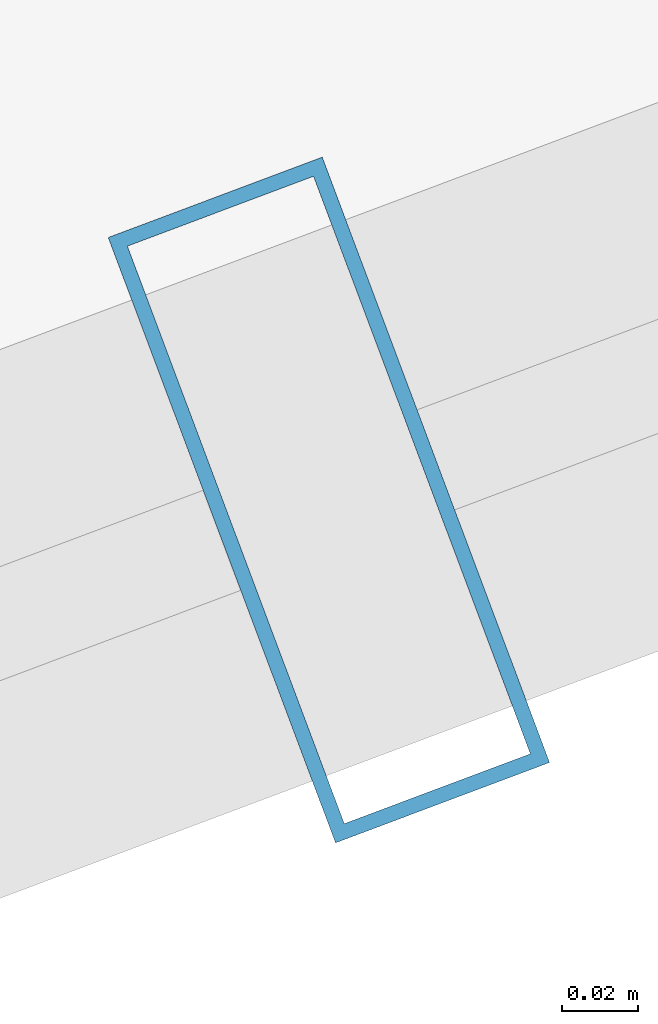
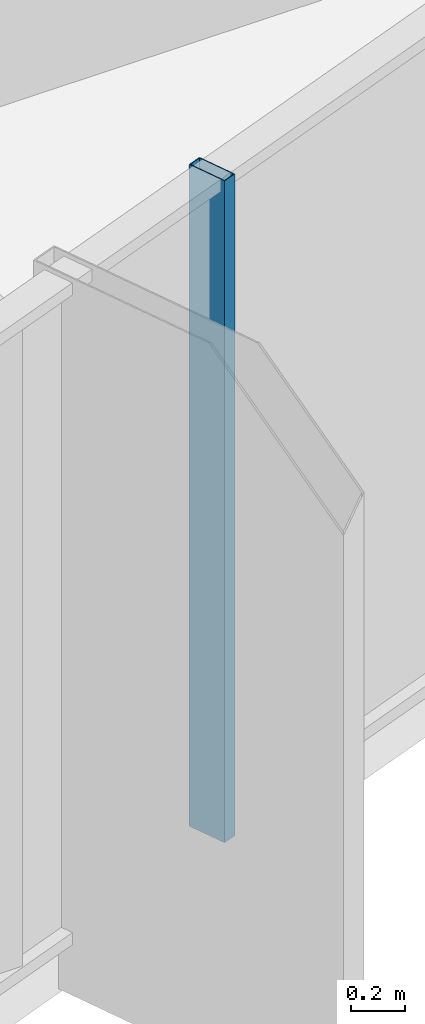
# One storey, part 8 of 30: 1 member, 1 element without a shape of its own.
"""IFC4 building model written with IfcOpenShell, lengths in metres."""

from ifc_helpers import new_model, si_unit, direction, frame, origin, origin_2d, place, context, subcontext, project, spatial, hollow_rectangle, extrude, source, transform, mapped, material, layer, layer_set, material_profile, profile_set, type_object, element, aggregate, save


model = new_model("IFC4")

# Units and contexts
model_context = context("Model", 3, precision=1e-05, world=origin(), true_north=direction((0.0, 1.0)))
body_context = subcontext(model_context, "Body", "Model", "MODEL_VIEW")
ifc_project = project(units=[si_unit("LENGTHUNIT", "METRE"), si_unit("AREAUNIT", "SQUARE_METRE"), si_unit("VOLUMEUNIT", "CUBIC_METRE"), si_unit("PLANEANGLEUNIT", "RADIAN"), si_unit("MASSUNIT", "GRAM", prefix="KILO")], contexts=[model_context])

# Site, building, storey
site_placement = place(None, origin())
site = spatial("IfcSite", under=ifc_project, at=site_placement, CompositionType="ELEMENT")
building_placement = place(site_placement, origin())
building = spatial("IfcBuilding", under=site, at=building_placement, Name="Veraguas Prism Commons", CompositionType="ELEMENT")
storey_placement = place(building_placement, frame((0.0, 0.0, 95.949951171875)))
storey = spatial("IfcBuildingStorey", under=building, at=storey_placement, Name="L26", CompositionType="ELEMENT", Elevation=95.949951171875)

# Curtain wall, member
ifc_material = material(Name="Anodised aluminium EN AW-6063 T6", Category="aluminium")
ifc_layer = layer(ifc_material, 0.169921875, Name="Unitised Flush Curtain Wall Zone 2", Category="aluminium")
ifc_layer_set = layer_set([ifc_layer], Name="Anodised aluminium EN AW-6063 T6")
curtain_wall_type = type_object("IfcCurtainWallType", Name="Unitised Flush Curtain Wall Zone 2", PredefinedType="NOTDEFINED", material=ifc_layer_set)
curtain_wall_placement = place(storey_placement, origin())
curtain_wall = element("IfcCurtainWall", 1, at=curtain_wall_placement, inside=storey, type_object=curtain_wall_type, Name="Tower Facade Curtain Wall L26-F5", PredefinedType="NOTDEFINED")
ifc_material_profile = material_profile(ifc_material, hollow_rectangle(XDim=0.06005859375, YDim=0.169921875, WallThickness=0.00390625, at=origin_2d()), Name="AL60X170X4")
ifc_profile_set = profile_set([ifc_material_profile], Name="Anodised aluminium EN AW-6063 T6")
member_type = type_object("IfcMemberType", Name="Curtain Wall Mullion Lower AL 60x170x4", PredefinedType="MULLION", material=ifc_profile_set)
shared_shape = source(origin(), body_context, "Body", "SweptSolid", [
    extrude(hollow_rectangle(XDim=0.06005859375, YDim=0.169921875, WallThickness=0.00390625, at=origin_2d()), origin(), (0.0, 0.0, 1.0), 3.0),
])
member_placement = place(storey_placement, frame((34.776611328125, 7.556396484375, 0.0), z_axis=(0.0, 0.0, 1.0), x_axis=(0.93618290812, 0.351513246611, 0.0)))
member = element("IfcMember", 2, at=member_placement, type_object=member_type, Name="CW-Z2 Mullion 4", PredefinedType="MULLION", context=body_context, shape_type="MappedRepresentation", body=[
    mapped(shared_shape, transform((0.0, 0.0, 0.0), scale=1.0)),
])
aggregate(curtain_wall, [member])

save(model, "model.ifc")
